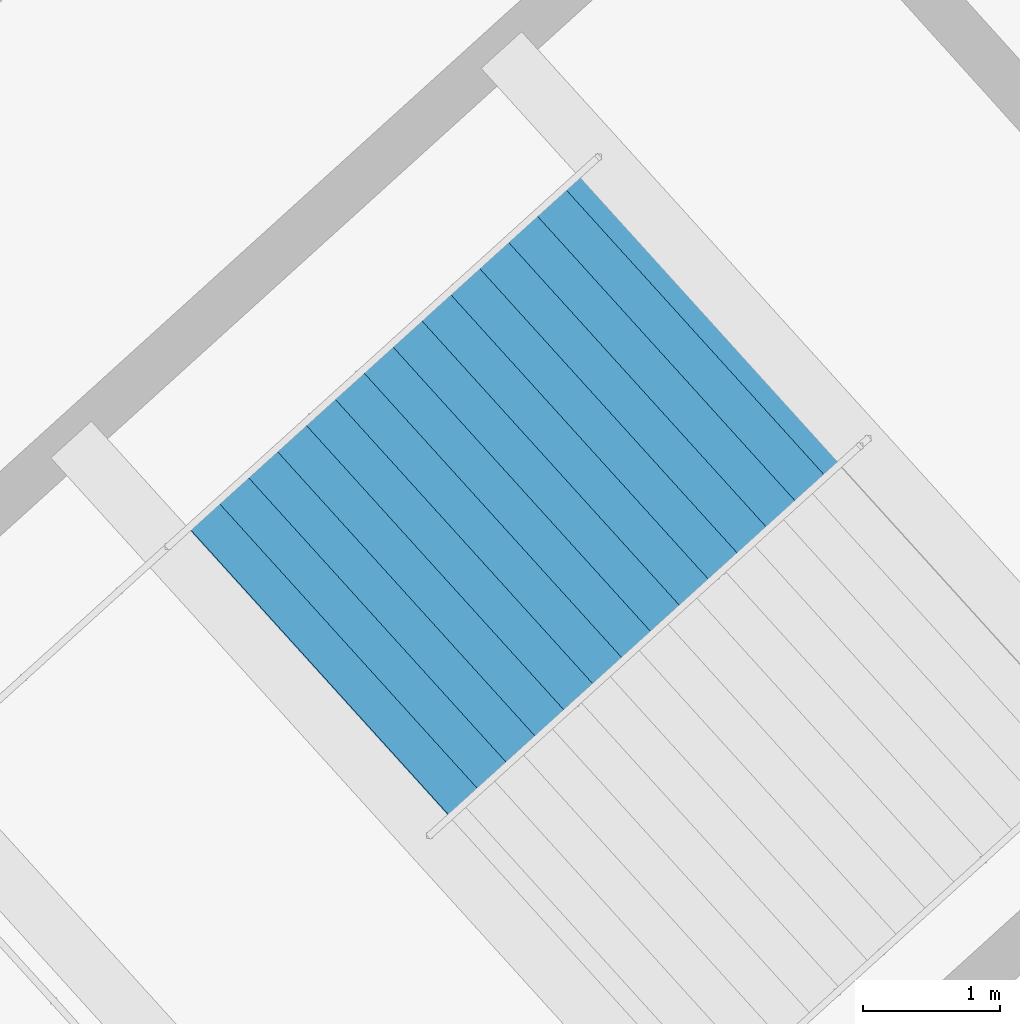
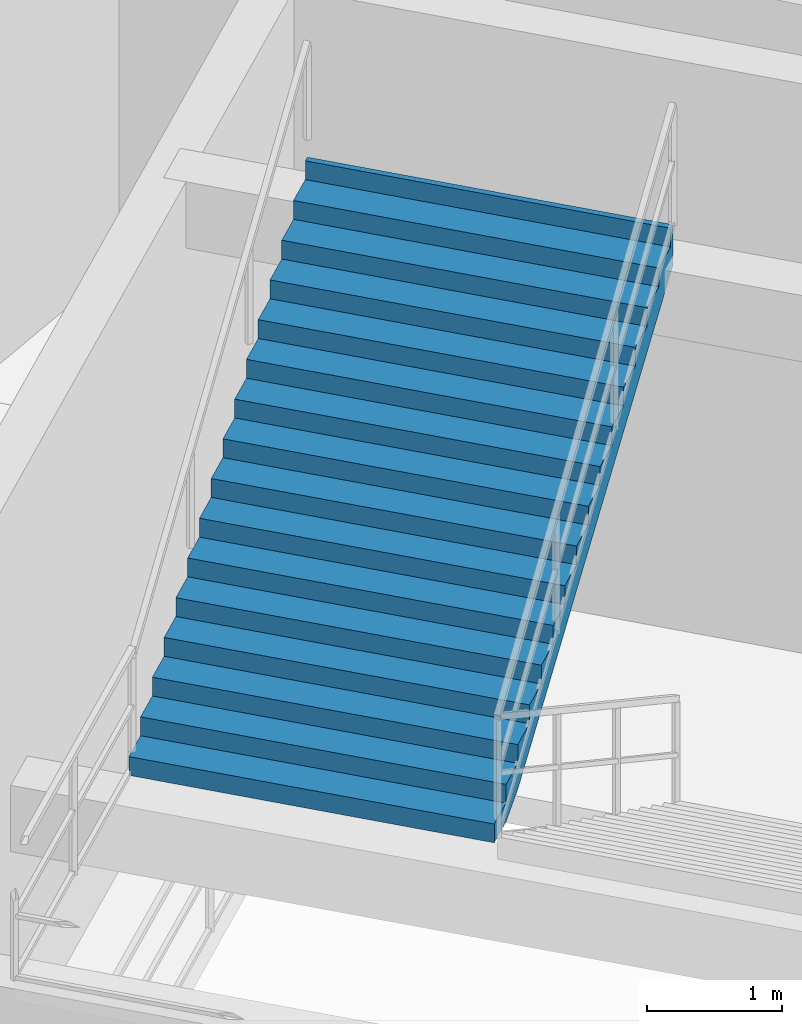
# One storey, part 78 of 86: 1 stair flight, 1 element without a shape of its own.
"""IFC4 building model written with IfcOpenShell, lengths in metres."""

from ifc_helpers import new_model, si_unit, direction, frame, origin, place, context, subcontext, project, spatial, polygons, material, type_object, element, aggregate, save


model = new_model("IFC4")

# Units and contexts
model_context = context("Model", 3, precision=1e-05, world=origin(), true_north=direction((0.0, 1.0)))
body_context = subcontext(model_context, "Body", "Model", "MODEL_VIEW")
ifc_project = project(units=[si_unit("LENGTHUNIT", "METRE"), si_unit("AREAUNIT", "SQUARE_METRE"), si_unit("VOLUMEUNIT", "CUBIC_METRE"), si_unit("PLANEANGLEUNIT", "RADIAN"), si_unit("MASSUNIT", "GRAM", prefix="KILO")], contexts=[model_context])

# Site, building, storey
site_placement = place(None, origin())
site = spatial("IfcSite", under=ifc_project, at=site_placement, CompositionType="ELEMENT")
building_placement = place(site_placement, origin())
building = spatial("IfcBuilding", under=site, at=building_placement, Name="Kazemori Nagisa Stadium", CompositionType="ELEMENT")
storey_placement = place(building_placement, frame((0.0, 0.0, 31.280029296875)))
storey = spatial("IfcBuildingStorey", under=building, at=storey_placement, Name="L06", CompositionType="ELEMENT", Elevation=31.280029296875)

# Stair, stair flight
ifc_material = material(Name="Concrete C36/45 (Fc36)", Category="concrete")
stair_type = type_object("IfcStairType", Name="Stair_CORE_32", PredefinedType="TWO_STRAIGHT_RUN_STAIR", material=ifc_material)
stair_placement = place(storey_placement, origin())
stair = element("IfcStair", 1, at=stair_placement, inside=storey, type_object=stair_type, Name="Exit stair ST02 L06", PredefinedType="TWO_STRAIGHT_RUN_STAIR")
stair_flight_type = type_object("IfcStairFlightType", Name="Flight_CORE_16", PredefinedType="STRAIGHT", material=ifc_material)
stair_flight_placement = place(storey_placement, frame((58.0458984375, 163.74609375, 2.719970703125), z_axis=(0.0, 0.0, 1.0), x_axis=(0.741328742395, 0.671142083093, 0.0)))
stair_flight = element("IfcStairFlight", 2, at=stair_flight_placement, type_object=stair_flight_type, Name="Exit stair ST02 L06 flight 2", NumberOfRisers=16, NumberOfTreads=15, PredefinedType="STRAIGHT", RiserHeight=0.17, TreadLength=0.285, context=body_context, shape_type="Tessellation", body=[
    polygons([(0.0, -1.425048828125, 0.0), (0.0, -1.425048828125, 0.169921875), (0.284912109375, -1.425048828125, 0.169921875), (0.284912109375, -1.425048828125, 0.340087890625), (0.570068359375, -1.425048828125, 0.340087890625), (0.570068359375, -1.425048828125, 0.510009765625), (0.85498046875, -1.425048828125, 0.510009765625), (0.85498046875, -1.425048828125, 0.679931640625), (1.139892578125, -1.425048828125, 0.679931640625), (1.139892578125, -1.425048828125, 0.85009765625), (1.425048828125, -1.425048828125, 0.85009765625), (1.425048828125, -1.425048828125, 1.02001953125), (1.7099609375, -1.425048828125, 1.02001953125), (1.7099609375, -1.425048828125, 1.18994140625), (1.9951171875, -1.425048828125, 1.18994140625), (1.9951171875, -1.425048828125, 1.360107421875), (2.280029296875, -1.425048828125, 1.360107421875), (2.280029296875, -1.425048828125, 1.530029296875), (2.56494140625, -1.425048828125, 1.530029296875), (2.56494140625, -1.425048828125, 1.699951171875), (2.85009765625, -1.425048828125, 1.699951171875), (2.85009765625, -1.425048828125, 1.8701171875), (3.135009765625, -1.425048828125, 1.8701171875), (3.135009765625, -1.425048828125, 2.0400390625), (3.419921875, -1.425048828125, 2.0400390625), (3.419921875, -1.425048828125, 2.2099609375), (3.705078125, -1.425048828125, 2.2099609375), (3.705078125, -1.425048828125, 2.3798828125), (3.989990234375, -1.425048828125, 2.3798828125), (3.989990234375, -1.425048828125, 2.550048828125), (4.27490234375, -1.425048828125, 2.550048828125), (4.27490234375, -1.425048828125, 2.719970703125), (4.324951171875, -1.425048828125, 2.719970703125), (4.324951171875, -1.425048828125, 2.346923828125), (4.27490234375, -1.425048828125, 2.317138671875), (3.989990234375, -1.425048828125, 2.147216796875), (3.705078125, -1.425048828125, 1.977294921875), (3.419921875, -1.425048828125, 1.80712890625), (3.135009765625, -1.425048828125, 1.63720703125), (2.85009765625, -1.425048828125, 1.46728515625), (2.56494140625, -1.425048828125, 1.297119140625), (2.280029296875, -1.425048828125, 1.127197265625), (1.9951171875, -1.425048828125, 0.957275390625), (1.7099609375, -1.425048828125, 0.787109375), (1.425048828125, -1.425048828125, 0.6171875), (1.139892578125, -1.425048828125, 0.447265625), (0.85498046875, -1.425048828125, 0.277099609375), (0.570068359375, -1.425048828125, 0.107177734375), (0.284912109375, -1.425048828125, 0.0), (0.0, -0.08544921875, 0.0), (0.0, -0.08544921875, 0.169921875), (0.284912109375, -0.08544921875, 0.169921875), (0.284912109375, -0.08544921875, 0.340087890625), (0.570068359375, -0.08544921875, 0.340087890625), (0.570068359375, -0.08544921875, 0.510009765625), (0.85498046875, -0.08544921875, 0.510009765625), (0.85498046875, -0.08544921875, 0.679931640625), (1.139892578125, -0.08544921875, 0.679931640625), (1.139892578125, -0.08544921875, 0.85009765625), (1.425048828125, -0.08544921875, 0.85009765625), (1.425048828125, -0.08544921875, 1.02001953125), (1.7099609375, -0.08544921875, 1.02001953125), (1.7099609375, -0.08544921875, 1.18994140625), (1.9951171875, -0.08544921875, 1.18994140625), (1.9951171875, -0.08544921875, 1.360107421875), (2.280029296875, -0.08544921875, 1.360107421875), (2.280029296875, -0.08544921875, 1.530029296875), (2.56494140625, -0.08544921875, 1.530029296875), (2.56494140625, -0.08544921875, 1.699951171875), (2.85009765625, -0.08544921875, 1.699951171875), (2.85009765625, -0.08544921875, 1.8701171875), (3.135009765625, -0.08544921875, 1.8701171875), (3.135009765625, -0.08544921875, 2.0400390625), (3.419921875, -0.08544921875, 2.0400390625), (3.419921875, -0.08544921875, 2.2099609375), (3.705078125, -0.08544921875, 2.2099609375), (3.705078125, -0.08544921875, 2.3798828125), (3.989990234375, -0.08544921875, 2.3798828125), (3.989990234375, -0.08544921875, 2.550048828125), (4.27490234375, -0.08544921875, 2.550048828125), (4.27490234375, -0.08544921875, 2.719970703125), (4.324951171875, -0.08544921875, 2.719970703125), (4.324951171875, -0.08544921875, 2.346923828125), (4.27490234375, -0.08544921875, 2.317138671875), (3.989990234375, -0.08544921875, 2.147216796875), (3.705078125, -0.08544921875, 1.977294921875), (3.419921875, -0.08544921875, 1.80712890625), (3.135009765625, -0.08544921875, 1.63720703125), (2.85009765625, -0.08544921875, 1.46728515625), (2.56494140625, -0.08544921875, 1.297119140625), (2.280029296875, -0.08544921875, 1.127197265625), (1.9951171875, -0.08544921875, 0.957275390625), (1.7099609375, -0.08544921875, 0.787109375), (1.425048828125, -0.08544921875, 0.6171875), (1.139892578125, -0.08544921875, 0.447265625), (0.85498046875, -0.08544921875, 0.277099609375), (0.570068359375, -0.08544921875, 0.107177734375), (0.284912109375, -0.08544921875, 0.0), (0.0, 0.0, 0.0), (0.0, 0.0, 0.169921875), (0.284912109375, 0.0, 0.169921875), (0.284912109375, 0.0, 0.340087890625), (0.570068359375, 0.0, 0.340087890625), (0.570068359375, 0.0, 0.510009765625), (0.85498046875, 0.0, 0.510009765625), (0.85498046875, 0.0, 0.679931640625), (1.139892578125, 0.0, 0.679931640625), (1.139892578125, 0.0, 0.85009765625), (1.425048828125, 0.0, 0.85009765625), (1.425048828125, 0.0, 1.02001953125), (1.7099609375, 0.0, 1.02001953125), (1.7099609375, 0.0, 1.18994140625), (1.9951171875, 0.0, 1.18994140625), (1.9951171875, 0.0, 1.360107421875), (2.280029296875, 0.0, 1.360107421875), (2.280029296875, 0.0, 1.530029296875), (2.56494140625, 0.0, 1.530029296875), (2.56494140625, 0.0, 1.699951171875), (2.85009765625, 0.0, 1.699951171875), (2.85009765625, 0.0, 1.8701171875), (3.135009765625, 0.0, 1.8701171875), (3.135009765625, 0.0, 2.0400390625), (3.419921875, 0.0, 2.0400390625), (3.419921875, 0.0, 2.2099609375), (3.705078125, 0.0, 2.2099609375), (3.705078125, 0.0, 2.3798828125), (3.989990234375, 0.0, 2.3798828125), (3.989990234375, 0.0, 2.550048828125), (4.27490234375, 0.0, 2.550048828125), (4.27490234375, 0.0, 2.719970703125), (4.324951171875, 0.0, 2.719970703125), (4.324951171875, 0.0, 2.346923828125), (4.27490234375, 0.0, 2.317138671875), (3.989990234375, 0.0, 2.147216796875), (3.705078125, 0.0, 1.977294921875), (3.419921875, 0.0, 1.80712890625), (3.135009765625, 0.0, 1.63720703125), (2.85009765625, 0.0, 1.46728515625), (2.56494140625, 0.0, 1.297119140625), (2.280029296875, 0.0, 1.127197265625), (1.9951171875, 0.0, 0.957275390625), (1.7099609375, 0.0, 0.787109375), (1.425048828125, 0.0, 0.6171875), (1.139892578125, 0.0, 0.447265625), (0.85498046875, 0.0, 0.277099609375), (0.570068359375, 0.0, 0.107177734375), (0.284912109375, 0.0, 0.0), (0.0, 0.08544921875, 0.0), (0.0, 0.08544921875, 0.169921875), (0.284912109375, 0.08544921875, 0.169921875), (0.284912109375, 0.08544921875, 0.340087890625), (0.570068359375, 0.08544921875, 0.340087890625), (0.570068359375, 0.08544921875, 0.510009765625), (0.85498046875, 0.08544921875, 0.510009765625), (0.85498046875, 0.08544921875, 0.679931640625), (1.139892578125, 0.08544921875, 0.679931640625), (1.139892578125, 0.08544921875, 0.85009765625), (1.425048828125, 0.08544921875, 0.85009765625), (1.425048828125, 0.08544921875, 1.02001953125), (1.7099609375, 0.08544921875, 1.02001953125), (1.7099609375, 0.08544921875, 1.18994140625), (1.9951171875, 0.08544921875, 1.18994140625), (1.9951171875, 0.08544921875, 1.360107421875), (2.280029296875, 0.08544921875, 1.360107421875), (2.280029296875, 0.08544921875, 1.530029296875), (2.56494140625, 0.08544921875, 1.530029296875), (2.56494140625, 0.08544921875, 1.699951171875), (2.85009765625, 0.08544921875, 1.699951171875), (2.85009765625, 0.08544921875, 1.8701171875), (3.135009765625, 0.08544921875, 1.8701171875), (3.135009765625, 0.08544921875, 2.0400390625), (3.419921875, 0.08544921875, 2.0400390625), (3.419921875, 0.08544921875, 2.2099609375), (3.705078125, 0.08544921875, 2.2099609375), (3.705078125, 0.08544921875, 2.3798828125), (3.989990234375, 0.08544921875, 2.3798828125), (3.989990234375, 0.08544921875, 2.550048828125), (4.27490234375, 0.08544921875, 2.550048828125), (4.27490234375, 0.08544921875, 2.719970703125), (4.324951171875, 0.08544921875, 2.719970703125), (4.324951171875, 0.08544921875, 2.346923828125), (4.27490234375, 0.08544921875, 2.317138671875), (3.989990234375, 0.08544921875, 2.147216796875), (3.705078125, 0.08544921875, 1.977294921875), (3.419921875, 0.08544921875, 1.80712890625), (3.135009765625, 0.08544921875, 1.63720703125), (2.85009765625, 0.08544921875, 1.46728515625), (2.56494140625, 0.08544921875, 1.297119140625), (2.280029296875, 0.08544921875, 1.127197265625), (1.9951171875, 0.08544921875, 0.957275390625), (1.7099609375, 0.08544921875, 0.787109375), (1.425048828125, 0.08544921875, 0.6171875), (1.139892578125, 0.08544921875, 0.447265625), (0.85498046875, 0.08544921875, 0.277099609375), (0.570068359375, 0.08544921875, 0.107177734375), (0.284912109375, 0.08544921875, 0.0), (0.0, 1.425048828125, 0.0), (0.0, 1.425048828125, 0.169921875), (0.284912109375, 1.425048828125, 0.169921875), (0.284912109375, 1.425048828125, 0.340087890625), (0.570068359375, 1.425048828125, 0.340087890625), (0.570068359375, 1.425048828125, 0.510009765625), (0.85498046875, 1.425048828125, 0.510009765625), (0.85498046875, 1.425048828125, 0.679931640625), (1.139892578125, 1.425048828125, 0.679931640625), (1.139892578125, 1.425048828125, 0.85009765625), (1.425048828125, 1.425048828125, 0.85009765625), (1.425048828125, 1.425048828125, 1.02001953125), (1.7099609375, 1.425048828125, 1.02001953125), (1.7099609375, 1.425048828125, 1.18994140625), (1.9951171875, 1.425048828125, 1.18994140625), (1.9951171875, 1.425048828125, 1.360107421875), (2.280029296875, 1.425048828125, 1.360107421875), (2.280029296875, 1.425048828125, 1.530029296875), (2.56494140625, 1.425048828125, 1.530029296875), (2.56494140625, 1.425048828125, 1.699951171875), (2.85009765625, 1.425048828125, 1.699951171875), (2.85009765625, 1.425048828125, 1.8701171875), (3.135009765625, 1.425048828125, 1.8701171875), (3.135009765625, 1.425048828125, 2.0400390625), (3.419921875, 1.425048828125, 2.0400390625), (3.419921875, 1.425048828125, 2.2099609375), (3.705078125, 1.425048828125, 2.2099609375), (3.705078125, 1.425048828125, 2.3798828125), (3.989990234375, 1.425048828125, 2.3798828125), (3.989990234375, 1.425048828125, 2.550048828125), (4.27490234375, 1.425048828125, 2.550048828125), (4.27490234375, 1.425048828125, 2.719970703125), (4.324951171875, 1.425048828125, 2.719970703125), (4.324951171875, 1.425048828125, 2.346923828125), (4.27490234375, 1.425048828125, 2.317138671875), (3.989990234375, 1.425048828125, 2.147216796875), (3.705078125, 1.425048828125, 1.977294921875), (3.419921875, 1.425048828125, 1.80712890625), (3.135009765625, 1.425048828125, 1.63720703125), (2.85009765625, 1.425048828125, 1.46728515625), (2.56494140625, 1.425048828125, 1.297119140625), (2.280029296875, 1.425048828125, 1.127197265625), (1.9951171875, 1.425048828125, 0.957275390625), (1.7099609375, 1.425048828125, 0.787109375), (1.425048828125, 1.425048828125, 0.6171875), (1.139892578125, 1.425048828125, 0.447265625), (0.85498046875, 1.425048828125, 0.277099609375), (0.570068359375, 1.425048828125, 0.107177734375), (0.284912109375, 1.425048828125, 0.0)], [[[1, 2, 51]], [[1, 51, 50]], [[2, 3, 52]], [[2, 52, 51]], [[3, 4, 53]], [[3, 53, 52]], [[4, 5, 54]], [[4, 54, 53]], [[5, 6, 55]], [[5, 55, 54]], [[6, 7, 56]], [[6, 56, 55]], [[7, 8, 57]], [[7, 57, 56]], [[8, 9, 58]], [[8, 58, 57]], [[9, 10, 59]], [[9, 59, 58]], [[10, 11, 60]], [[10, 60, 59]], [[11, 12, 61]], [[11, 61, 60]], [[12, 13, 62]], [[12, 62, 61]], [[13, 14, 63]], [[13, 63, 62]], [[14, 15, 64]], [[14, 64, 63]], [[15, 16, 65]], [[15, 65, 64]], [[16, 17, 66]], [[16, 66, 65]], [[17, 18, 67]], [[17, 67, 66]], [[18, 19, 68]], [[18, 68, 67]], [[19, 20, 69]], [[19, 69, 68]], [[20, 21, 70]], [[20, 70, 69]], [[21, 22, 71]], [[21, 71, 70]], [[22, 23, 72]], [[22, 72, 71]], [[23, 24, 73]], [[23, 73, 72]], [[24, 25, 74]], [[24, 74, 73]], [[25, 26, 75]], [[25, 75, 74]], [[26, 27, 76]], [[26, 76, 75]], [[27, 28, 77]], [[27, 77, 76]], [[28, 29, 78]], [[28, 78, 77]], [[29, 30, 79]], [[29, 79, 78]], [[30, 31, 80]], [[30, 80, 79]], [[31, 32, 81]], [[31, 81, 80]], [[32, 33, 82]], [[32, 82, 81]], [[33, 34, 83]], [[33, 83, 82]], [[34, 35, 84]], [[34, 84, 83]], [[35, 36, 85]], [[35, 85, 84]], [[36, 37, 86]], [[36, 86, 85]], [[37, 38, 87]], [[37, 87, 86]], [[38, 39, 88]], [[38, 88, 87]], [[39, 40, 89]], [[39, 89, 88]], [[40, 41, 90]], [[40, 90, 89]], [[41, 42, 91]], [[41, 91, 90]], [[42, 43, 92]], [[42, 92, 91]], [[43, 44, 93]], [[43, 93, 92]], [[44, 45, 94]], [[44, 94, 93]], [[45, 46, 95]], [[45, 95, 94]], [[46, 47, 96]], [[46, 96, 95]], [[47, 48, 97]], [[47, 97, 96]], [[48, 49, 98]], [[48, 98, 97]], [[49, 1, 50]], [[49, 50, 98]], [[50, 51, 100]], [[50, 100, 99]], [[51, 52, 101]], [[51, 101, 100]], [[52, 53, 102]], [[52, 102, 101]], [[53, 54, 103]], [[53, 103, 102]], [[54, 55, 104]], [[54, 104, 103]], [[55, 56, 105]], [[55, 105, 104]], [[56, 57, 106]], [[56, 106, 105]], [[57, 58, 107]], [[57, 107, 106]], [[58, 59, 108]], [[58, 108, 107]], [[59, 60, 109]], [[59, 109, 108]], [[60, 61, 110]], [[60, 110, 109]], [[61, 62, 111]], [[61, 111, 110]], [[62, 63, 112]], [[62, 112, 111]], [[63, 64, 113]], [[63, 113, 112]], [[64, 65, 114]], [[64, 114, 113]], [[65, 66, 115]], [[65, 115, 114]], [[66, 67, 116]], [[66, 116, 115]], [[67, 68, 117]], [[67, 117, 116]], [[68, 69, 118]], [[68, 118, 117]], [[69, 70, 119]], [[69, 119, 118]], [[70, 71, 120]], [[70, 120, 119]], [[71, 72, 121]], [[71, 121, 120]], [[72, 73, 122]], [[72, 122, 121]], [[73, 74, 123]], [[73, 123, 122]], [[74, 75, 124]], [[74, 124, 123]], [[75, 76, 125]], [[75, 125, 124]], [[76, 77, 126]], [[76, 126, 125]], [[77, 78, 127]], [[77, 127, 126]], [[78, 79, 128]], [[78, 128, 127]], [[79, 80, 129]], [[79, 129, 128]], [[80, 81, 130]], [[80, 130, 129]], [[81, 82, 131]], [[81, 131, 130]], [[82, 83, 132]], [[82, 132, 131]], [[83, 84, 133]], [[83, 133, 132]], [[84, 85, 134]], [[84, 134, 133]], [[85, 86, 135]], [[85, 135, 134]], [[86, 87, 136]], [[86, 136, 135]], [[87, 88, 137]], [[87, 137, 136]], [[88, 89, 138]], [[88, 138, 137]], [[89, 90, 139]], [[89, 139, 138]], [[90, 91, 140]], [[90, 140, 139]], [[91, 92, 141]], [[91, 141, 140]], [[92, 93, 142]], [[92, 142, 141]], [[93, 94, 143]], [[93, 143, 142]], [[94, 95, 144]], [[94, 144, 143]], [[95, 96, 145]], [[95, 145, 144]], [[96, 97, 146]], [[96, 146, 145]], [[97, 98, 147]], [[97, 147, 146]], [[98, 50, 99]], [[98, 99, 147]], [[99, 100, 149]], [[99, 149, 148]], [[100, 101, 150]], [[100, 150, 149]], [[101, 102, 151]], [[101, 151, 150]], [[102, 103, 152]], [[102, 152, 151]], [[103, 104, 153]], [[103, 153, 152]], [[104, 105, 154]], [[104, 154, 153]], [[105, 106, 155]], [[105, 155, 154]], [[106, 107, 156]], [[106, 156, 155]], [[107, 108, 157]], [[107, 157, 156]], [[108, 109, 158]], [[108, 158, 157]], [[109, 110, 159]], [[109, 159, 158]], [[110, 111, 160]], [[110, 160, 159]], [[111, 112, 161]], [[111, 161, 160]], [[112, 113, 162]], [[112, 162, 161]], [[113, 114, 163]], [[113, 163, 162]], [[114, 115, 164]], [[114, 164, 163]], [[115, 116, 165]], [[115, 165, 164]], [[116, 117, 166]], [[116, 166, 165]], [[117, 118, 167]], [[117, 167, 166]], [[118, 119, 168]], [[118, 168, 167]], [[119, 120, 169]], [[119, 169, 168]], [[120, 121, 170]], [[120, 170, 169]], [[121, 122, 171]], [[121, 171, 170]], [[122, 123, 172]], [[122, 172, 171]], [[123, 124, 173]], [[123, 173, 172]], [[124, 125, 174]], [[124, 174, 173]], [[125, 126, 175]], [[125, 175, 174]], [[126, 127, 176]], [[126, 176, 175]], [[127, 128, 177]], [[127, 177, 176]], [[128, 129, 178]], [[128, 178, 177]], [[129, 130, 179]], [[129, 179, 178]], [[130, 131, 180]], [[130, 180, 179]], [[131, 132, 181]], [[131, 181, 180]], [[132, 133, 182]], [[132, 182, 181]], [[133, 134, 183]], [[133, 183, 182]], [[134, 135, 184]], [[134, 184, 183]], [[135, 136, 185]], [[135, 185, 184]], [[136, 137, 186]], [[136, 186, 185]], [[137, 138, 187]], [[137, 187, 186]], [[138, 139, 188]], [[138, 188, 187]], [[139, 140, 189]], [[139, 189, 188]], [[140, 141, 190]], [[140, 190, 189]], [[141, 142, 191]], [[141, 191, 190]], [[142, 143, 192]], [[142, 192, 191]], [[143, 144, 193]], [[143, 193, 192]], [[144, 145, 194]], [[144, 194, 193]], [[145, 146, 195]], [[145, 195, 194]], [[146, 147, 196]], [[146, 196, 195]], [[147, 99, 148]], [[147, 148, 196]], [[148, 149, 198]], [[148, 198, 197]], [[149, 150, 199]], [[149, 199, 198]], [[150, 151, 200]], [[150, 200, 199]], [[151, 152, 201]], [[151, 201, 200]], [[152, 153, 202]], [[152, 202, 201]], [[153, 154, 203]], [[153, 203, 202]], [[154, 155, 204]], [[154, 204, 203]], [[155, 156, 205]], [[155, 205, 204]], [[156, 157, 206]], [[156, 206, 205]], [[157, 158, 207]], [[157, 207, 206]], [[158, 159, 208]], [[158, 208, 207]], [[159, 160, 209]], [[159, 209, 208]], [[160, 161, 210]], [[160, 210, 209]], [[161, 162, 211]], [[161, 211, 210]], [[162, 163, 212]], [[162, 212, 211]], [[163, 164, 213]], [[163, 213, 212]], [[164, 165, 214]], [[164, 214, 213]], [[165, 166, 215]], [[165, 215, 214]], [[166, 167, 216]], [[166, 216, 215]], [[167, 168, 217]], [[167, 217, 216]], [[168, 169, 218]], [[168, 218, 217]], [[169, 170, 219]], [[169, 219, 218]], [[170, 171, 220]], [[170, 220, 219]], [[171, 172, 221]], [[171, 221, 220]], [[172, 173, 222]], [[172, 222, 221]], [[173, 174, 223]], [[173, 223, 222]], [[174, 175, 224]], [[174, 224, 223]], [[175, 176, 225]], [[175, 225, 224]], [[176, 177, 226]], [[176, 226, 225]], [[177, 178, 227]], [[177, 227, 226]], [[178, 179, 228]], [[178, 228, 227]], [[179, 180, 229]], [[179, 229, 228]], [[180, 181, 230]], [[180, 230, 229]], [[181, 182, 231]], [[181, 231, 230]], [[182, 183, 232]], [[182, 232, 231]], [[183, 184, 233]], [[183, 233, 232]], [[184, 185, 234]], [[184, 234, 233]], [[185, 186, 235]], [[185, 235, 234]], [[186, 187, 236]], [[186, 236, 235]], [[187, 188, 237]], [[187, 237, 236]], [[188, 189, 238]], [[188, 238, 237]], [[189, 190, 239]], [[189, 239, 238]], [[190, 191, 240]], [[190, 240, 239]], [[191, 192, 241]], [[191, 241, 240]], [[192, 193, 242]], [[192, 242, 241]], [[193, 194, 243]], [[193, 243, 242]], [[194, 195, 244]], [[194, 244, 243]], [[195, 196, 245]], [[195, 245, 244]], [[196, 148, 197]], [[196, 197, 245]], [[3, 2, 1]], [[197, 198, 199]], [[49, 3, 1]], [[197, 199, 245]], [[48, 3, 49]], [[245, 199, 244]], [[5, 3, 48]], [[244, 199, 201]], [[5, 4, 3]], [[199, 200, 201]], [[47, 5, 48]], [[244, 201, 243]], [[7, 5, 47]], [[243, 201, 203]], [[7, 6, 5]], [[201, 202, 203]], [[46, 7, 47]], [[243, 203, 242]], [[9, 7, 46]], [[242, 203, 205]], [[9, 8, 7]], [[203, 204, 205]], [[45, 9, 46]], [[242, 205, 241]], [[11, 9, 45]], [[241, 205, 207]], [[11, 10, 9]], [[205, 206, 207]], [[44, 11, 45]], [[241, 207, 240]], [[13, 11, 44]], [[240, 207, 209]], [[13, 12, 11]], [[207, 208, 209]], [[43, 13, 44]], [[240, 209, 239]], [[15, 13, 43]], [[239, 209, 211]], [[15, 14, 13]], [[209, 210, 211]], [[42, 15, 43]], [[239, 211, 238]], [[17, 15, 42]], [[238, 211, 213]], [[17, 16, 15]], [[211, 212, 213]], [[41, 17, 42]], [[238, 213, 237]], [[19, 17, 41]], [[237, 213, 215]], [[19, 18, 17]], [[213, 214, 215]], [[40, 19, 41]], [[237, 215, 236]], [[21, 19, 40]], [[236, 215, 217]], [[21, 20, 19]], [[215, 216, 217]], [[39, 21, 40]], [[236, 217, 235]], [[23, 21, 39]], [[235, 217, 219]], [[23, 22, 21]], [[217, 218, 219]], [[38, 23, 39]], [[235, 219, 234]], [[25, 23, 38]], [[234, 219, 221]], [[25, 24, 23]], [[219, 220, 221]], [[37, 25, 38]], [[234, 221, 233]], [[27, 25, 37]], [[233, 221, 223]], [[27, 26, 25]], [[221, 222, 223]], [[36, 27, 37]], [[233, 223, 232]], [[29, 27, 36]], [[232, 223, 225]], [[29, 28, 27]], [[223, 224, 225]], [[35, 29, 36]], [[232, 225, 231]], [[31, 29, 35]], [[231, 225, 227]], [[31, 30, 29]], [[225, 226, 227]], [[34, 31, 35]], [[231, 227, 230]], [[33, 31, 34]], [[230, 227, 229]], [[33, 32, 31]], [[227, 228, 229]]], closed=True),
])
aggregate(stair, [stair_flight])

save(model, "model.ifc")
